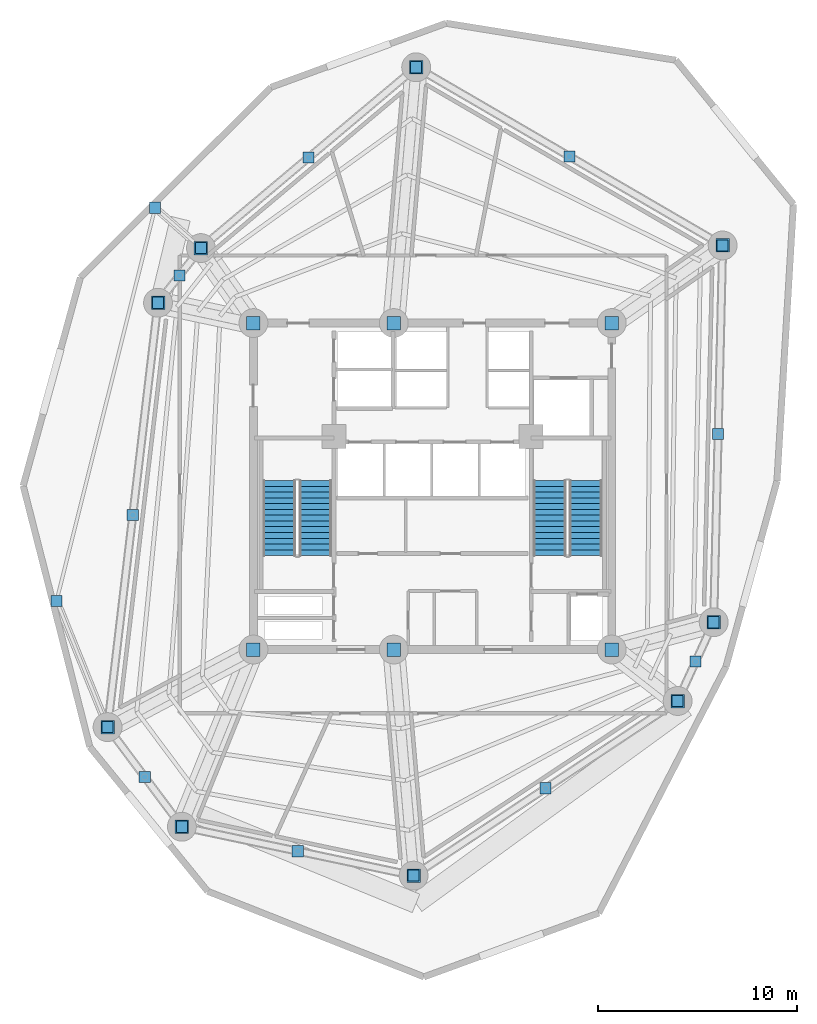
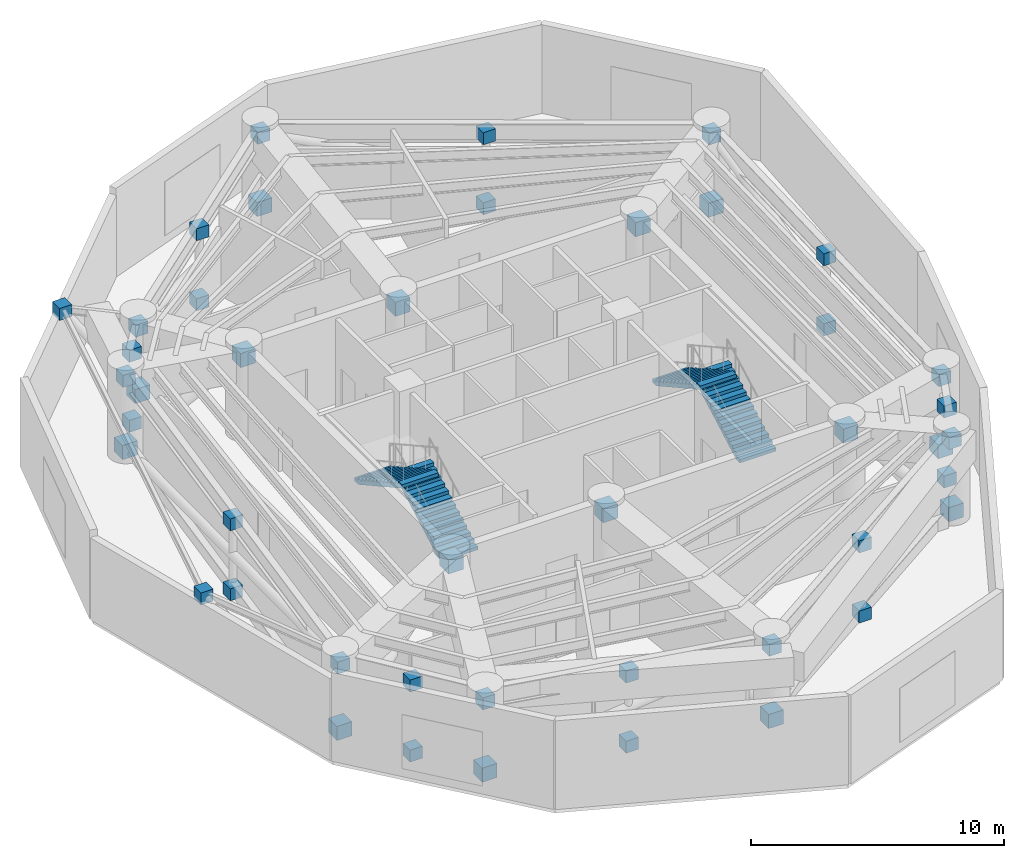
# One storey, part 8 of 11: 44 discrete accessories, 4 stair flights, 2 elements without a shape of their own.
"""IFC4 building model written with IfcOpenShell, lengths in metres."""

from ifc_helpers import new_model, si_unit, direction, frame, origin, origin_with_axes, origin_2d, place, context, subcontext, project, spatial, polyline, rectangle, outline, extrude, source, transform, mapped, material, type_object, element, aggregate, save


model = new_model("IFC4")

# Units and contexts
model_context = context("Model", 3, precision=1e-05, world=origin(), true_north=direction((0.0, 1.0)))
body_context = subcontext(model_context, "Body", "Model", "MODEL_VIEW")
ifc_project = project(units=[si_unit("LENGTHUNIT", "METRE"), si_unit("AREAUNIT", "SQUARE_METRE"), si_unit("VOLUMEUNIT", "CUBIC_METRE"), si_unit("PLANEANGLEUNIT", "RADIAN"), si_unit("MASSUNIT", "GRAM", prefix="KILO")], contexts=[model_context])

# Site, building, storey
site_placement = place(None, origin())
site = spatial("IfcSite", under=ifc_project, at=site_placement, CompositionType="ELEMENT")
building_placement = place(site_placement, origin())
building = spatial("IfcBuilding", under=site, at=building_placement, Name="Karkom Vertical University and Central Library", CompositionType="ELEMENT")
storey_placement = place(building_placement, frame((0.0, 0.0, 148.050048828125)))
storey = spatial("IfcBuildingStorey", under=building, at=storey_placement, Name="P42", CompositionType="ELEMENT", Elevation=148.050048828125)

# Stair, stair flights
ifc_material_1 = material(Name="Concrete C45/55", Category="concrete")
stair_type = type_object("IfcStairType", Name="INT-STR-ST-MAIN", PredefinedType="HALF_TURN_STAIR", material=ifc_material_1)
stair_1_placement = place(storey_placement, origin())
stair_1 = element("IfcStair", 1, at=stair_1_placement, inside=storey, type_object=stair_type, Name="Plant Level 42 Tower Protected Exit Stair ST-1", PredefinedType="HALF_TURN_STAIR")
stair_flight_type = type_object("IfcStairFlightType", Name="INT-SFL-ST-MAIN", PredefinedType="STRAIGHT", material=ifc_material_1)
stair_flight_1_placement = place(storey_placement, frame((22.614990234375, 23.02001953125, 0.0), z_axis=(0.0, 0.0, 1.0), x_axis=(0.0, 1.0, 0.0)))
stair_flight_1 = element("IfcStairFlight", 2, at=stair_flight_1_placement, type_object=stair_flight_type, Name="ST-1 flight 1", NumberOfRisers=14, NumberOfTreads=13, PredefinedType="STRAIGHT", RiserHeight=0.160714286, TreadLength=0.29, context=body_context, shape_type="SweptSolid", body=[
    extrude(outline(polyline([(0.0, 0.0), (0.0, 0.16064453125), (0.2900390625, 0.16064453125), (0.2900390625, 0.321533203125), (0.580078125, 0.321533203125), (0.580078125, 0.482177734375), (0.8701171875, 0.482177734375), (0.8701171875, 0.642822265625), (1.159912109375, 0.642822265625), (1.159912109375, 0.803466796875), (1.449951171875, 0.803466796875), (1.449951171875, 0.96435546875), (1.739990234375, 0.96435546875), (1.739990234375, 1.125), (2.030029296875, 1.125), (2.030029296875, 1.28564453125), (2.320068359375, 1.28564453125), (2.320068359375, 1.446533203125), (2.610107421875, 1.446533203125), (2.610107421875, 1.607177734375), (2.89990234375, 1.607177734375), (2.89990234375, 1.767822265625), (3.18994140625, 1.767822265625), (3.18994140625, 1.928466796875), (3.47998046875, 1.928466796875), (3.47998046875, 2.08935546875), (3.77001953125, 2.08935546875), (3.77001953125, 2.25), (3.77001953125, 1.91796875), (0.309326171875, 0.0), (0.0, 0.0)])), frame((0.0, 0.824951171875, 0.0), z_axis=(0.0, -1.0, 0.0), x_axis=(1.0, 0.0, 0.0)), (0.0, 0.0, 1.0), 1.64990234375),
])
stair_flight_2_placement = place(storey_placement, frame((20.804931640625, 26.7900390625, 2.25), z_axis=(0.0, 0.0, 1.0), x_axis=(0.0, -1.0, 0.0)))
stair_flight_2 = element("IfcStairFlight", 3, at=stair_flight_2_placement, type_object=stair_flight_type, Name="ST-1 flight 2", NumberOfRisers=14, NumberOfTreads=13, PredefinedType="STRAIGHT", RiserHeight=0.160714286, TreadLength=0.29, context=body_context, shape_type="SweptSolid", body=[
    extrude(outline(polyline([(0.0, 0.0), (0.0, 0.16064453125), (0.2900390625, 0.16064453125), (0.2900390625, 0.321533203125), (0.580078125, 0.321533203125), (0.580078125, 0.482177734375), (0.8701171875, 0.482177734375), (0.8701171875, 0.642822265625), (1.159912109375, 0.642822265625), (1.159912109375, 0.803466796875), (1.449951171875, 0.803466796875), (1.449951171875, 0.96435546875), (1.739990234375, 0.96435546875), (1.739990234375, 1.125), (2.030029296875, 1.125), (2.030029296875, 1.28564453125), (2.320068359375, 1.28564453125), (2.320068359375, 1.446533203125), (2.610107421875, 1.446533203125), (2.610107421875, 1.607177734375), (2.89990234375, 1.607177734375), (2.89990234375, 1.767822265625), (3.18994140625, 1.767822265625), (3.18994140625, 1.928466796875), (3.47998046875, 1.928466796875), (3.47998046875, 2.08935546875), (3.77001953125, 2.08935546875), (3.77001953125, 2.25), (3.77001953125, 1.91796875), (0.309326171875, 0.0), (0.0, 0.0)])), frame((0.0, 0.824951171875, 0.0), z_axis=(0.0, -1.0, 0.0), x_axis=(1.0, 0.0, 0.0)), (0.0, 0.0, 1.0), 1.64990234375),
])
aggregate(stair_1, [stair_flight_1, stair_flight_2])

stair_2_placement = place(storey_placement, origin())
stair_2 = element("IfcStair", 4, at=stair_2_placement, inside=storey, type_object=stair_type, Name="Plant Level 42 Tower Protected Exit Stair ST-2", PredefinedType="HALF_TURN_STAIR")
stair_flight_3_placement = place(storey_placement, frame((36.195068359375, 23.02001953125, 0.0), z_axis=(0.0, 0.0, 1.0), x_axis=(0.0, 1.0, 0.0)))
stair_flight_3 = element("IfcStairFlight", 5, at=stair_flight_3_placement, type_object=stair_flight_type, Name="ST-2 flight 1", NumberOfRisers=14, NumberOfTreads=13, PredefinedType="STRAIGHT", RiserHeight=0.160714286, TreadLength=0.29, context=body_context, shape_type="SweptSolid", body=[
    extrude(outline(polyline([(0.0, 0.0), (0.0, 0.16064453125), (0.2900390625, 0.16064453125), (0.2900390625, 0.321533203125), (0.580078125, 0.321533203125), (0.580078125, 0.482177734375), (0.8701171875, 0.482177734375), (0.8701171875, 0.642822265625), (1.159912109375, 0.642822265625), (1.159912109375, 0.803466796875), (1.449951171875, 0.803466796875), (1.449951171875, 0.96435546875), (1.739990234375, 0.96435546875), (1.739990234375, 1.125), (2.030029296875, 1.125), (2.030029296875, 1.28564453125), (2.320068359375, 1.28564453125), (2.320068359375, 1.446533203125), (2.610107421875, 1.446533203125), (2.610107421875, 1.607177734375), (2.89990234375, 1.607177734375), (2.89990234375, 1.767822265625), (3.18994140625, 1.767822265625), (3.18994140625, 1.928466796875), (3.47998046875, 1.928466796875), (3.47998046875, 2.08935546875), (3.77001953125, 2.08935546875), (3.77001953125, 2.25), (3.77001953125, 1.91796875), (0.309326171875, 0.0), (0.0, 0.0)])), frame((0.0, 0.824951171875, 0.0), z_axis=(0.0, -1.0, 0.0), x_axis=(1.0, 0.0, 0.0)), (0.0, 0.0, 1.0), 1.64990234375),
])
stair_flight_4_placement = place(storey_placement, frame((34.385009765625, 26.7900390625, 2.25), z_axis=(0.0, 0.0, 1.0), x_axis=(0.0, -1.0, 0.0)))
stair_flight_4 = element("IfcStairFlight", 6, at=stair_flight_4_placement, type_object=stair_flight_type, Name="ST-2 flight 2", NumberOfRisers=14, NumberOfTreads=13, PredefinedType="STRAIGHT", RiserHeight=0.160714286, TreadLength=0.29, context=body_context, shape_type="SweptSolid", body=[
    extrude(outline(polyline([(0.0, 0.0), (0.0, 0.16064453125), (0.2900390625, 0.16064453125), (0.2900390625, 0.321533203125), (0.580078125, 0.321533203125), (0.580078125, 0.482177734375), (0.8701171875, 0.482177734375), (0.8701171875, 0.642822265625), (1.159912109375, 0.642822265625), (1.159912109375, 0.803466796875), (1.449951171875, 0.803466796875), (1.449951171875, 0.96435546875), (1.739990234375, 0.96435546875), (1.739990234375, 1.125), (2.030029296875, 1.125), (2.030029296875, 1.28564453125), (2.320068359375, 1.28564453125), (2.320068359375, 1.446533203125), (2.610107421875, 1.446533203125), (2.610107421875, 1.607177734375), (2.89990234375, 1.607177734375), (2.89990234375, 1.767822265625), (3.18994140625, 1.767822265625), (3.18994140625, 1.928466796875), (3.47998046875, 1.928466796875), (3.47998046875, 2.08935546875), (3.77001953125, 2.08935546875), (3.77001953125, 2.25), (3.77001953125, 1.91796875), (0.309326171875, 0.0), (0.0, 0.0)])), frame((0.0, 0.824951171875, 0.0), z_axis=(0.0, -1.0, 0.0), x_axis=(1.0, 0.0, 0.0)), (0.0, 0.0, 1.0), 1.64990234375),
])
aggregate(stair_2, [stair_flight_3, stair_flight_4])

# Discrete accessories
ifc_material_2 = material(Name="Ductile cast iron EN-GJS-400-15", Category="metal")
discrete_accessory_type = type_object("IfcDiscreteAccessoryType", Name="STR-ACC-NODECAP", PredefinedType="BRACKET", material=ifc_material_2)
shared_shape_1 = source(origin_with_axes(), body_context, "Body", "SweptSolid", [
    extrude(rectangle(XDim=0.56005859375, YDim=0.56005859375, at=origin_2d()), origin(), (0.0, 0.0, 1.0), 0.580078125),
])
for number, where, z_axis, x_axis, name in (
    (7, (14.562255859375, 40.489990234375, 3.81982421875), (0.0, 0.0, 1.0), (1.0, 0.0, 0.0), "Plant Level 42 Cast Node Connector P42-SKG-KNEE-1 B"),
    (8, (9.609619140625, 20.74365234375, 3.81982421875), (0.0, 0.0, 1.0), (1.0, 0.0, 0.0), "Plant Level 42 Cast Node Connector P42-SKG-KNEE-2 B"),
    (9, (43.070068359375, 38.60009765625, 3.434814453125), (0.0, 0.0, 1.0), (1.0, 0.0, 0.0), "Plant Level 42 Cast Node Connector P42-BELT-BRACE-01 B"),
    (10, (42.844482421875, 29.135986328125, 0.059814453125), (0.0, 0.0, 1.0), (1.0, 0.0, 0.0), "Plant Level 42 Cast Node Connector P42-BELT-POST-01 A"),
    (11, (42.844482421875, 29.135986328125, 3.434814453125), (0.0, 0.0, 1.0), (1.0, 0.0, 0.0), "Plant Level 42 Cast Node Connector P42-BELT-POST-01 B"),
    (12, (27.674072265625, 47.551025390625, 3.434814453125), (0.0, 0.0, 1.0), (1.0, 0.0, 0.0), "Plant Level 42 Cast Node Connector P42-BELT-BRACE-02 B"),
    (13, (35.3720703125, 43.075439453125, 0.059814453125), (0.0, 0.0, 1.0), (1.0, 0.0, 0.0), "Plant Level 42 Cast Node Connector P42-BELT-POST-02 A"),
    (14, (35.3720703125, 43.075439453125, 3.434814453125), (0.0, 0.0, 1.0), (1.0, 0.0, 0.0), "Plant Level 42 Cast Node Connector P42-BELT-POST-02 B"),
    (15, (16.862060546875, 38.468017578125, 3.434814453125), (0.0, 0.0, 1.0), (1.0, 0.0, 0.0), "Plant Level 42 Cast Node Connector P42-BELT-BRACE-03 B"),
    (16, (22.26806640625, 43.009521484375, 0.059814453125), (0.0, 0.0, 1.0), (1.0, 0.0, 0.0), "Plant Level 42 Cast Node Connector P42-BELT-POST-03 A"),
    (17, (22.26806640625, 43.009521484375, 3.434814453125), (0.0, 0.0, 1.0), (1.0, 0.0, 0.0), "Plant Level 42 Cast Node Connector P42-BELT-POST-03 B"),
    (18, (14.70703125, 35.718994140625, 3.434814453125), (0.0, 0.0, 1.0), (1.0, 0.0, 0.0), "Plant Level 42 Cast Node Connector P42-BELT-BRACE-04 B"),
    (19, (15.784423828125, 37.093505859375, 0.059814453125), (0.0, 0.0, 1.0), (1.0, 0.0, 0.0), "Plant Level 42 Cast Node Connector P42-BELT-POST-04 A"),
    (20, (15.784423828125, 37.093505859375, 3.434814453125), (0.0, 0.0, 1.0), (1.0, 0.0, 0.0), "Plant Level 42 Cast Node Connector P42-BELT-POST-04 B"),
    (21, (12.172119140625, 14.403076171875, 3.434814453125), (0.0, 0.0, 1.0), (1.0, 0.0, 0.0), "Plant Level 42 Cast Node Connector P42-BELT-BRACE-05 B"),
    (22, (13.439453125, 25.06103515625, 0.059814453125), (0.0, 0.0, 1.0), (1.0, 0.0, 0.0), "Plant Level 42 Cast Node Connector P42-BELT-POST-05 A"),
    (23, (13.439453125, 25.06103515625, 3.434814453125), (0.0, 0.0, 1.0), (1.0, 0.0, 0.0), "Plant Level 42 Cast Node Connector P42-BELT-POST-05 B"),
    (24, (15.904052734375, 9.39892578125, 3.434814453125), (0.0, 0.0, 1.0), (1.0, 0.0, 0.0), "Plant Level 42 Cast Node Connector P42-BELT-BRACE-06 B"),
    (25, (14.0380859375, 11.90087890625, 0.059814453125), (0.0, 0.0, 1.0), (1.0, 0.0, 0.0), "Plant Level 42 Cast Node Connector P42-BELT-POST-06 A"),
    (26, (14.0380859375, 11.90087890625, 3.434814453125), (0.0, 0.0, 1.0), (1.0, 0.0, 0.0), "Plant Level 42 Cast Node Connector P42-BELT-POST-06 B"),
    (27, (27.5439453125, 6.943115234375, 3.434814453125), (0.0, 0.0, 1.0), (1.0, 0.0, 0.0), "Plant Level 42 Cast Node Connector P42-BELT-BRACE-07 B"),
    (28, (21.72412109375, 8.1708984375, 0.059814453125), (0.0, 0.0, 1.0), (1.0, 0.0, 0.0), "Plant Level 42 Cast Node Connector P42-BELT-POST-07 A"),
    (29, (21.72412109375, 8.1708984375, 3.434814453125), (0.0, 0.0, 1.0), (1.0, 0.0, 0.0), "Plant Level 42 Cast Node Connector P42-BELT-POST-07 B"),
    (30, (40.81005859375, 15.714111328125, 3.434814453125), (0.0, 0.0, 1.0), (1.0, 0.0, 0.0), "Plant Level 42 Cast Node Connector P42-BELT-BRACE-08 B"),
    (31, (34.177001953125, 11.32861328125, 0.059814453125), (0.0, 0.0, 1.0), (1.0, 0.0, 0.0), "Plant Level 42 Cast Node Connector P42-BELT-POST-08 A"),
    (32, (34.177001953125, 11.32861328125, 3.434814453125), (0.0, 0.0, 1.0), (1.0, 0.0, 0.0), "Plant Level 42 Cast Node Connector P42-BELT-POST-08 B"),
    (33, (42.618896484375, 19.672119140625, 3.434814453125), (0.0, 0.0, 1.0), (1.0, 0.0, 0.0), "Plant Level 42 Cast Node Connector P42-BELT-BRACE-09 B"),
    (34, (41.714599609375, 17.693115234375, 0.059814453125), (0.0, 0.0, 1.0), (1.0, 0.0, 0.0), "Plant Level 42 Cast Node Connector P42-BELT-POST-09 A"),
    (35, (41.714599609375, 17.693115234375, 3.434814453125), (0.0, 0.0, 1.0), (1.0, 0.0, 0.0), "Plant Level 42 Cast Node Connector P42-BELT-POST-09 B"),
):
    element("IfcDiscreteAccessory", number, at=place(storey_placement, frame(where, z_axis=z_axis, x_axis=x_axis)), inside=storey, type_object=discrete_accessory_type, Name=name, PredefinedType="BRACKET", context=body_context, shape_type="MappedRepresentation", body=[
        mapped(shared_shape_1, transform((0.0, 0.0, 0.0), scale=1.0)),
    ])
shared_shape_2 = source(origin_with_axes(), body_context, "Body", "SweptSolid", [
    extrude(rectangle(XDim=0.679931640625, YDim=0.679931640625, at=origin_2d()), origin(), (0.0, 0.0, 1.0), 0.679931640625),
])
for number, where, z_axis, x_axis, name in (
    (36, (16.862060546875, 38.468017578125, 0.2900390625), (0.0, 0.0, 1.0), (1.0, 0.0, 0.0), "Plant Level 42 Cast Node Connector P42-SKG-KNEE-1 A"),
    (37, (12.172119140625, 14.403076171875, 0.2900390625), (0.0, 0.0, 1.0), (1.0, 0.0, 0.0), "Plant Level 42 Cast Node Connector P42-SKG-KNEE-2 A"),
    (38, (42.618896484375, 19.672119140625, 0.009765625), (0.0, 0.0, 1.0), (1.0, 0.0, 0.0), "Plant Level 42 Cast Node Connector P42-BELT-BRACE-01 A"),
    (39, (43.070068359375, 38.60009765625, 0.009765625), (0.0, 0.0, 1.0), (1.0, 0.0, 0.0), "Plant Level 42 Cast Node Connector P42-BELT-CHORD-01 B"),
    (40, (27.674072265625, 47.551025390625, 0.009765625), (0.0, 0.0, 1.0), (1.0, 0.0, 0.0), "Plant Level 42 Cast Node Connector P42-BELT-CHORD-02 B"),
    (41, (14.70703125, 35.718994140625, 0.009765625), (0.0, 0.0, 1.0), (1.0, 0.0, 0.0), "Plant Level 42 Cast Node Connector P42-BELT-CHORD-04 B"),
    (42, (15.904052734375, 9.39892578125, 0.009765625), (0.0, 0.0, 1.0), (1.0, 0.0, 0.0), "Plant Level 42 Cast Node Connector P42-BELT-CHORD-06 B"),
    (43, (27.5439453125, 6.943115234375, 0.009765625), (0.0, 0.0, 1.0), (1.0, 0.0, 0.0), "Plant Level 42 Cast Node Connector P42-BELT-CHORD-07 B"),
    (44, (40.81005859375, 15.714111328125, 0.009765625), (0.0, 0.0, 1.0), (1.0, 0.0, 0.0), "Plant Level 42 Cast Node Connector P42-BELT-CHORD-08 B"),
    (45, (37.5, 18.300048828125, 3.384765625), (0.0, 0.0, 1.0), (1.0, 0.0, 0.0), "Plant Level 42 Cast Node Connector P42-OUTRIGGER-BRACE-01 A"),
    (46, (37.5, 34.699951171875, 3.384765625), (0.0, 0.0, 1.0), (1.0, 0.0, 0.0), "Plant Level 42 Cast Node Connector P42-OUTRIGGER-BRACE-02 A"),
    (47, (26.550048828125, 34.699951171875, 3.384765625), (0.0, 0.0, 1.0), (1.0, 0.0, 0.0), "Plant Level 42 Cast Node Connector P42-OUTRIGGER-BRACE-03 A"),
    (48, (19.5, 34.699951171875, 3.384765625), (0.0, 0.0, 1.0), (1.0, 0.0, 0.0), "Plant Level 42 Cast Node Connector P42-OUTRIGGER-BRACE-04 A"),
    (49, (19.5, 18.300048828125, 3.384765625), (0.0, 0.0, 1.0), (1.0, 0.0, 0.0), "Plant Level 42 Cast Node Connector P42-OUTRIGGER-BRACE-06 A"),
    (50, (26.550048828125, 18.300048828125, 3.384765625), (0.0, 0.0, 1.0), (1.0, 0.0, 0.0), "Plant Level 42 Cast Node Connector P42-OUTRIGGER-BRACE-08 A"),
):
    element("IfcDiscreteAccessory", number, at=place(storey_placement, frame(where, z_axis=z_axis, x_axis=x_axis)), inside=storey, type_object=discrete_accessory_type, Name=name, PredefinedType="BRACKET", context=body_context, shape_type="MappedRepresentation", body=[
        mapped(shared_shape_2, transform((0.0, 0.0, 0.0), scale=1.0)),
    ])

save(model, "model.ifc")
